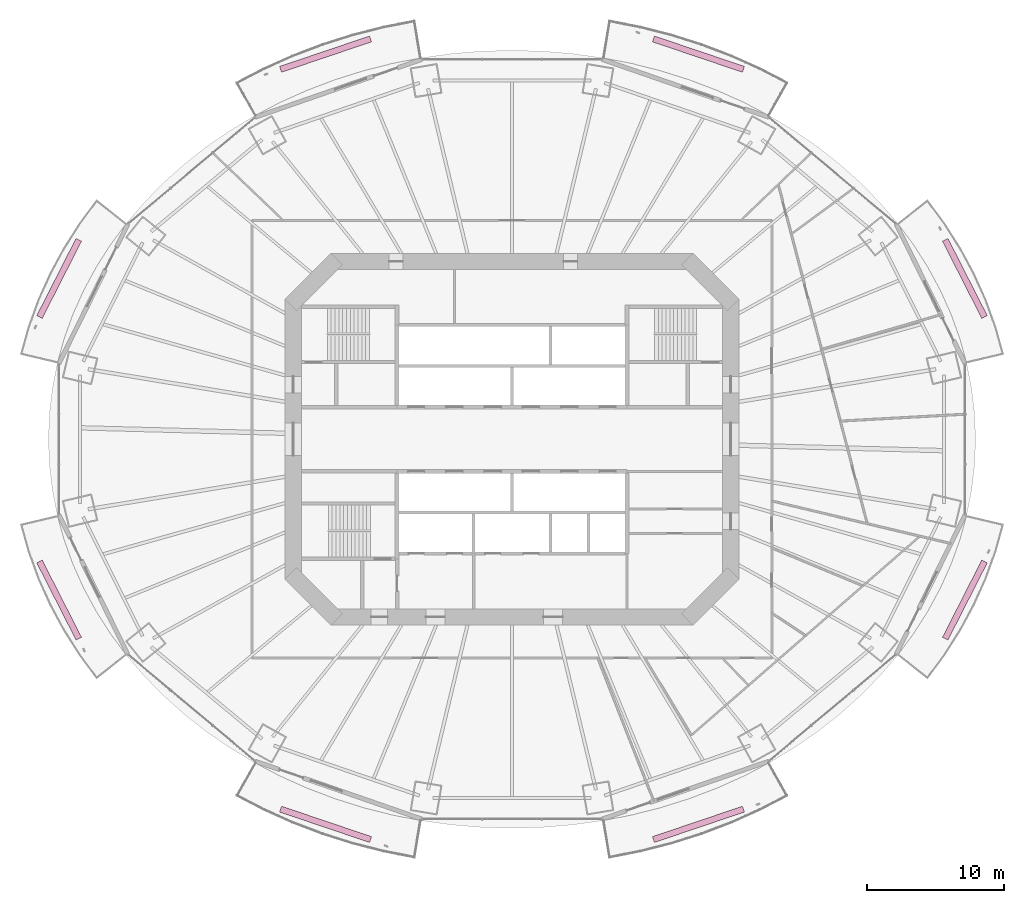
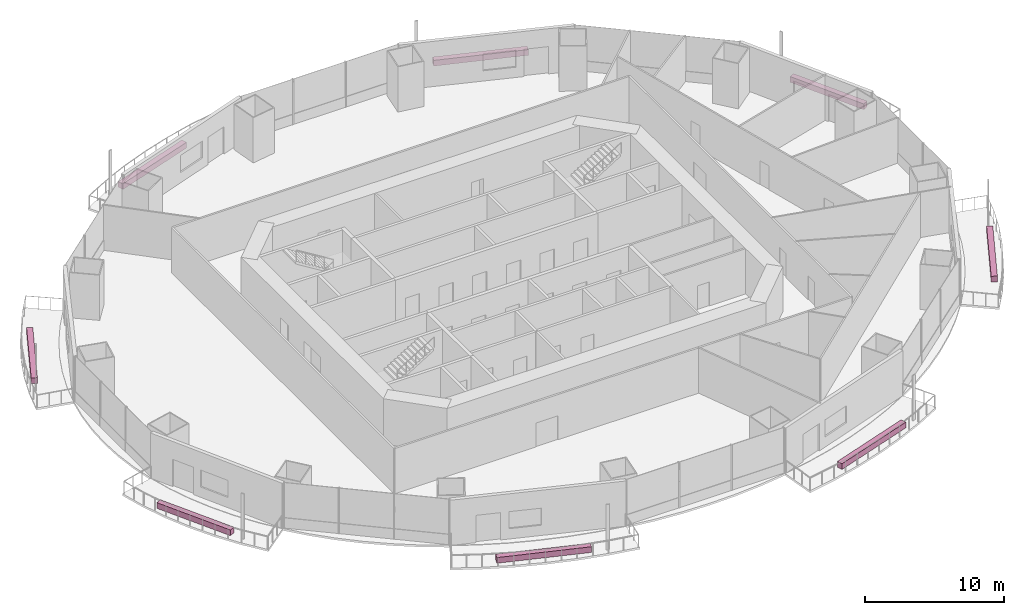
# One storey, part 21 of 21: 8 furnishings.
"""IFC4 building model written with IfcOpenShell, lengths in metres."""

from ifc_helpers import new_model, si_unit, direction, frame, origin, origin_2d, place, context, subcontext, project, spatial, rectangle, extrude, material, type_object, element, save


model = new_model("IFC4")

# Units and contexts
model_context = context("Model", 3, precision=1e-05, world=origin(), true_north=direction((0.0, 1.0)))
body_context = subcontext(model_context, "Body", "Model", "MODEL_VIEW")
ifc_project = project(units=[si_unit("LENGTHUNIT", "METRE"), si_unit("AREAUNIT", "SQUARE_METRE"), si_unit("VOLUMEUNIT", "CUBIC_METRE"), si_unit("PLANEANGLEUNIT", "RADIAN"), si_unit("MASSUNIT", "GRAM", prefix="KILO")], contexts=[model_context])

# Site, building, storey
site_placement = place(None, origin())
site = spatial("IfcSite", under=ifc_project, at=site_placement, CompositionType="ELEMENT")
building_placement = place(site_placement, origin())
building = spatial("IfcBuilding", under=site, at=building_placement, Name="Marenthal Gate Tower", CompositionType="ELEMENT")
storey_placement = place(building_placement, frame((0.0, 0.0, 120.14990234375)))
storey = spatial("IfcBuildingStorey", under=building, at=storey_placement, Name="L25", CompositionType="ELEMENT", Elevation=120.14990234375)

# Furnishings
ifc_material = material(Name="Planting soil and foliage", Category="planting")
furnishing_element_type = type_object("IfcFurnishingElementType", Name="Balcony PLANTER trough", material=ifc_material)
furnishing_1_placement = place(storey_placement, frame((33.116455078125, 11.7587890625, -0.039794921875), z_axis=(0.0, 0.0, 1.0), x_axis=(-0.453748760928, 0.891129654964, 0.0)))
element("IfcFurnishingElement", 1, at=furnishing_1_placement, inside=storey, type_object=furnishing_element_type, Name="Balcony PLANTER L25 bay 1", ObjectType="PLANTER", context=body_context, shape_type="SweptSolid", body=[
    extrude(rectangle(XDim=6.327880859375, YDim=0.449951171875, at=origin_2d()), origin(), (0.0, 0.0, 1.0), 0.5),
])
for number, where, z_axis, x_axis, name in (
    (2, (13.6357421875, 28.1591796875, -0.039794921875), (0.0, 0.0, 1.0), (-0.947328885127, 0.320262366513, 0.0), "Balcony PLANTER L25 bay 3"),
    (3, (-13.6357421875, 28.1591796875, -0.039794921875), (0.0, 0.0, 1.0), (-0.947328885127, -0.320262366513, 0.0), "Balcony PLANTER L25 bay 5"),
):
    element("IfcFurnishingElement", number, at=place(storey_placement, frame(where, z_axis=z_axis, x_axis=x_axis)), inside=storey, type_object=furnishing_element_type, Name=name, ObjectType="PLANTER", context=body_context, shape_type="SweptSolid", body=[
        extrude(rectangle(XDim=6.95068359375, YDim=0.449951171875, at=origin_2d()), origin(), (0.0, 0.0, 1.0), 0.5),
    ])
for number, where, z_axis, x_axis, name in (
    (4, (-33.116455078125, 11.7587890625, -0.039794921875), (0.0, 0.0, 1.0), (-0.453748760928, -0.891129654964, 0.0), "Balcony PLANTER L25 bay 7"),
    (5, (-33.116455078125, -11.7587890625, -0.039794921875), (0.0, 0.0, 1.0), (0.453748760928, -0.891129654964, 0.0), "Balcony PLANTER L25 bay 9"),
):
    element("IfcFurnishingElement", number, at=place(storey_placement, frame(where, z_axis=z_axis, x_axis=x_axis)), inside=storey, type_object=furnishing_element_type, Name=name, ObjectType="PLANTER", context=body_context, shape_type="SweptSolid", body=[
        extrude(rectangle(XDim=6.327880859375, YDim=0.449951171875, at=origin_2d()), origin(), (0.0, 0.0, 1.0), 0.5),
    ])
for number, where, z_axis, x_axis, name in (
    (6, (-13.6357421875, -28.1591796875, -0.039794921875), (0.0, 0.0, 1.0), (0.947328885127, -0.320262366513, 0.0), "Balcony PLANTER L25 bay 11"),
    (7, (13.6357421875, -28.1591796875, -0.039794921875), (0.0, 0.0, 1.0), (0.947328885127, 0.320262366513, 0.0), "Balcony PLANTER L25 bay 13"),
):
    element("IfcFurnishingElement", number, at=place(storey_placement, frame(where, z_axis=z_axis, x_axis=x_axis)), inside=storey, type_object=furnishing_element_type, Name=name, ObjectType="PLANTER", context=body_context, shape_type="SweptSolid", body=[
        extrude(rectangle(XDim=6.95068359375, YDim=0.449951171875, at=origin_2d()), origin(), (0.0, 0.0, 1.0), 0.5),
    ])
furnishing_2_placement = place(storey_placement, frame((33.116455078125, -11.7587890625, -0.039794921875), z_axis=(0.0, 0.0, 1.0), x_axis=(0.453748760928, 0.891129654964, 0.0)))
element("IfcFurnishingElement", 8, at=furnishing_2_placement, inside=storey, type_object=furnishing_element_type, Name="Balcony PLANTER L25 bay 15", ObjectType="PLANTER", context=body_context, shape_type="SweptSolid", body=[
    extrude(rectangle(XDim=6.327880859375, YDim=0.449951171875, at=origin_2d()), origin(), (0.0, 0.0, 1.0), 0.5),
])

save(model, "model.ifc")
